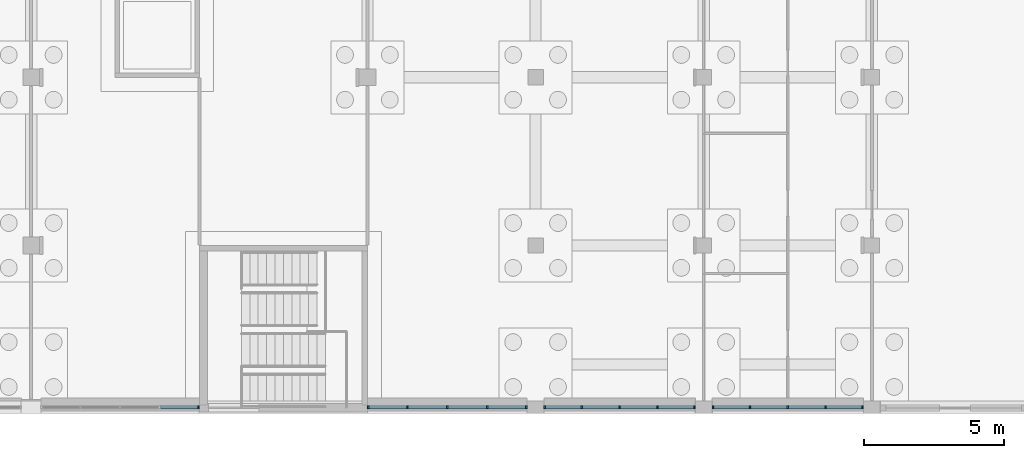
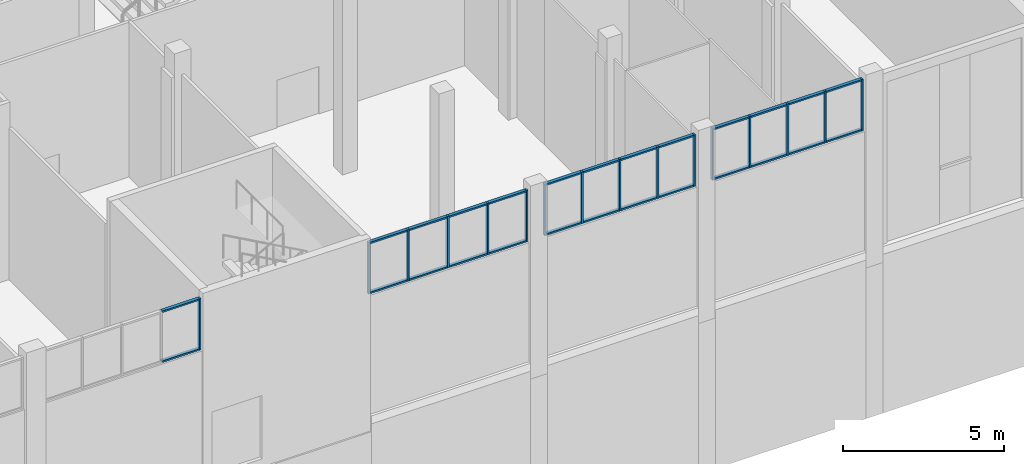
# One storey, part 20 of 95: 42 members, 4 elements without a shape of their own.
"""IFC4 building model written with IfcOpenShell, lengths in metres."""

from ifc_helpers import new_model, si_unit, direction, frame, origin, origin_2d, place, context, subcontext, project, spatial, rectangle, extrude, material, material_profile, profile_set, type_object, element, aggregate, save


model = new_model("IFC4")

# Units and contexts
model_context = context("Model", 3, precision=1e-05, world=origin(), true_north=direction((0.0, 1.0)))
body_context = subcontext(model_context, "Body", "Model", "MODEL_VIEW")
ifc_project = project(units=[si_unit("LENGTHUNIT", "METRE"), si_unit("AREAUNIT", "SQUARE_METRE"), si_unit("VOLUMEUNIT", "CUBIC_METRE"), si_unit("PLANEANGLEUNIT", "RADIAN"), si_unit("MASSUNIT", "GRAM", prefix="KILO")], contexts=[model_context])

# Site, building, storey
site_placement = place(None, origin())
site = spatial("IfcSite", under=ifc_project, at=site_placement, CompositionType="ELEMENT")
building_placement = place(site_placement, origin())
building = spatial("IfcBuilding", under=site, at=building_placement, Name="Saffron Lane Theatres", CompositionType="ELEMENT")
storey_placement = place(building_placement, origin())
storey = spatial("IfcBuildingStorey", under=building, at=storey_placement, Name="L00", CompositionType="ELEMENT", Elevation=0.0)

# Curtain wall, members
ifc_material_1 = material(Name="Aluminium", Category="aluminium")
curtain_wall_type_1 = type_object("IfcCurtainWallType", Name="EX-CURTAIN WALL 5400x1950x120", PredefinedType="NOTDEFINED", material=ifc_material_1)
curtain_wall_1_placement = place(storey_placement, origin())
curtain_wall_1 = element("IfcCurtainWall", 1, at=curtain_wall_1_placement, inside=storey, type_object=curtain_wall_type_1, Name="Curtain wall L00 09", PredefinedType="NOTDEFINED")
ifc_material_2 = material(Name="Aluminium", Category="aluminium")
ifc_material_profile_1 = material_profile(ifc_material_2, rectangle(XDim=0.06005859375, YDim=0.1201171875, at=origin_2d()))
ifc_profile_set_1 = profile_set([ifc_material_profile_1], Name="Aluminium")
member_type_1 = type_object("IfcMemberType", Name="EX-CW MULLION 60x120", PredefinedType="MULLION", material=ifc_profile_set_1)
member_1_placement = place(storey_placement, frame((59.669921875, 0.22509765625, 4.800048828125), z_axis=(0.0, 0.0, 1.0), x_axis=(-1.0, 0.0, 0.0)))
member_1 = element("IfcMember", 2, at=member_1_placement, type_object=member_type_1, Name="CW-00-09 mullion 1", PredefinedType="MULLION", context=body_context, shape_type="SweptSolid", body=[
    extrude(rectangle(XDim=0.06005859375, YDim=0.1201171875, at=origin_2d()), origin(), (0.0, 0.0, 1.0), 1.949951171875),
])
member_2_placement = place(storey_placement, frame((58.35009765625, 0.22509765625, 4.800048828125), z_axis=(0.0, 0.0, 1.0), x_axis=(-1.0, 0.0, 0.0)))
member_2 = element("IfcMember", 3, at=member_2_placement, type_object=member_type_1, Name="CW-00-09 mullion 2", PredefinedType="MULLION", context=body_context, shape_type="SweptSolid", body=[
    extrude(rectangle(XDim=0.06005859375, YDim=0.1201171875, at=origin_2d()), origin(), (0.0, 0.0, 1.0), 1.949951171875),
])
member_3_placement = place(storey_placement, frame((57.0, 0.22509765625, 4.800048828125), z_axis=(0.0, 0.0, 1.0), x_axis=(-1.0, 0.0, 0.0)))
member_3 = element("IfcMember", 4, at=member_3_placement, type_object=member_type_1, Name="CW-00-09 mullion 3", PredefinedType="MULLION", context=body_context, shape_type="SweptSolid", body=[
    extrude(rectangle(XDim=0.06005859375, YDim=0.1201171875, at=origin_2d()), origin(), (0.0, 0.0, 1.0), 1.949951171875),
])
member_4_placement = place(storey_placement, frame((55.64990234375, 0.22509765625, 4.800048828125), z_axis=(0.0, 0.0, 1.0), x_axis=(-1.0, 0.0, 0.0)))
member_4 = element("IfcMember", 5, at=member_4_placement, type_object=member_type_1, Name="CW-00-09 mullion 4", PredefinedType="MULLION", context=body_context, shape_type="SweptSolid", body=[
    extrude(rectangle(XDim=0.06005859375, YDim=0.1201171875, at=origin_2d()), origin(), (0.0, 0.0, 1.0), 1.949951171875),
])
member_5_placement = place(storey_placement, frame((54.330078125, 0.22509765625, 4.800048828125), z_axis=(0.0, 0.0, 1.0), x_axis=(-1.0, 0.0, 0.0)))
member_5 = element("IfcMember", 6, at=member_5_placement, type_object=member_type_1, Name="CW-00-09 mullion 5", PredefinedType="MULLION", context=body_context, shape_type="SweptSolid", body=[
    extrude(rectangle(XDim=0.06005859375, YDim=0.1201171875, at=origin_2d()), origin(), (0.0, 0.0, 1.0), 1.949951171875),
])

curtain_wall_2_placement = place(storey_placement, origin())
curtain_wall_2 = element("IfcCurtainWall", 7, at=curtain_wall_2_placement, inside=storey, type_object=curtain_wall_type_1, Name="Curtain wall L00 10", PredefinedType="NOTDEFINED")
member_6_placement = place(storey_placement, frame((53.669921875, 0.22509765625, 4.800048828125), z_axis=(0.0, 0.0, 1.0), x_axis=(-1.0, 0.0, 0.0)))
member_6 = element("IfcMember", 8, at=member_6_placement, type_object=member_type_1, Name="CW-00-10 mullion 1", PredefinedType="MULLION", context=body_context, shape_type="SweptSolid", body=[
    extrude(rectangle(XDim=0.06005859375, YDim=0.1201171875, at=origin_2d()), origin(), (0.0, 0.0, 1.0), 1.949951171875),
])
member_7_placement = place(storey_placement, frame((52.35009765625, 0.22509765625, 4.800048828125), z_axis=(0.0, 0.0, 1.0), x_axis=(-1.0, 0.0, 0.0)))
member_7 = element("IfcMember", 9, at=member_7_placement, type_object=member_type_1, Name="CW-00-10 mullion 2", PredefinedType="MULLION", context=body_context, shape_type="SweptSolid", body=[
    extrude(rectangle(XDim=0.06005859375, YDim=0.1201171875, at=origin_2d()), origin(), (0.0, 0.0, 1.0), 1.949951171875),
])
member_8_placement = place(storey_placement, frame((51.0, 0.22509765625, 4.800048828125), z_axis=(0.0, 0.0, 1.0), x_axis=(-1.0, 0.0, 0.0)))
member_8 = element("IfcMember", 10, at=member_8_placement, type_object=member_type_1, Name="CW-00-10 mullion 3", PredefinedType="MULLION", context=body_context, shape_type="SweptSolid", body=[
    extrude(rectangle(XDim=0.06005859375, YDim=0.1201171875, at=origin_2d()), origin(), (0.0, 0.0, 1.0), 1.949951171875),
])
member_9_placement = place(storey_placement, frame((49.64990234375, 0.22509765625, 4.800048828125), z_axis=(0.0, 0.0, 1.0), x_axis=(-1.0, 0.0, 0.0)))
member_9 = element("IfcMember", 11, at=member_9_placement, type_object=member_type_1, Name="CW-00-10 mullion 4", PredefinedType="MULLION", context=body_context, shape_type="SweptSolid", body=[
    extrude(rectangle(XDim=0.06005859375, YDim=0.1201171875, at=origin_2d()), origin(), (0.0, 0.0, 1.0), 1.949951171875),
])
member_10_placement = place(storey_placement, frame((48.330078125, 0.22509765625, 4.800048828125), z_axis=(0.0, 0.0, 1.0), x_axis=(-1.0, 0.0, 0.0)))
member_10 = element("IfcMember", 12, at=member_10_placement, type_object=member_type_1, Name="CW-00-10 mullion 5", PredefinedType="MULLION", context=body_context, shape_type="SweptSolid", body=[
    extrude(rectangle(XDim=0.06005859375, YDim=0.1201171875, at=origin_2d()), origin(), (0.0, 0.0, 1.0), 1.949951171875),
])

ifc_material_3 = material(Name="Aluminium", Category="aluminium")
curtain_wall_type_2 = type_object("IfcCurtainWallType", Name="EX-CURTAIN WALL 5700x1950x120", PredefinedType="NOTDEFINED", material=ifc_material_3)
curtain_wall_3_placement = place(storey_placement, origin())
curtain_wall_3 = element("IfcCurtainWall", 13, at=curtain_wall_3_placement, inside=storey, type_object=curtain_wall_type_2, Name="Curtain wall L00 11", PredefinedType="NOTDEFINED")
member_11_placement = place(storey_placement, frame((47.669921875, 0.22509765625, 4.800048828125), z_axis=(0.0, 0.0, 1.0), x_axis=(-1.0, 0.0, 0.0)))
member_11 = element("IfcMember", 14, at=member_11_placement, type_object=member_type_1, Name="CW-00-11 mullion 1", PredefinedType="MULLION", context=body_context, shape_type="SweptSolid", body=[
    extrude(rectangle(XDim=0.06005859375, YDim=0.1201171875, at=origin_2d()), origin(), (0.0, 0.0, 1.0), 1.949951171875),
])
member_12_placement = place(storey_placement, frame((46.27490234375, 0.22509765625, 4.800048828125), z_axis=(0.0, 0.0, 1.0), x_axis=(-1.0, 0.0, 0.0)))
member_12 = element("IfcMember", 15, at=member_12_placement, type_object=member_type_1, Name="CW-00-11 mullion 2", PredefinedType="MULLION", context=body_context, shape_type="SweptSolid", body=[
    extrude(rectangle(XDim=0.06005859375, YDim=0.1201171875, at=origin_2d()), origin(), (0.0, 0.0, 1.0), 1.949951171875),
])
member_13_placement = place(storey_placement, frame((44.85009765625, 0.22509765625, 4.800048828125), z_axis=(0.0, 0.0, 1.0), x_axis=(-1.0, 0.0, 0.0)))
member_13 = element("IfcMember", 16, at=member_13_placement, type_object=member_type_1, Name="CW-00-11 mullion 3", PredefinedType="MULLION", context=body_context, shape_type="SweptSolid", body=[
    extrude(rectangle(XDim=0.06005859375, YDim=0.1201171875, at=origin_2d()), origin(), (0.0, 0.0, 1.0), 1.949951171875),
])
member_14_placement = place(storey_placement, frame((43.425048828125, 0.22509765625, 4.800048828125), z_axis=(0.0, 0.0, 1.0), x_axis=(-1.0, 0.0, 0.0)))
member_14 = element("IfcMember", 17, at=member_14_placement, type_object=member_type_1, Name="CW-00-11 mullion 4", PredefinedType="MULLION", context=body_context, shape_type="SweptSolid", body=[
    extrude(rectangle(XDim=0.06005859375, YDim=0.1201171875, at=origin_2d()), origin(), (0.0, 0.0, 1.0), 1.949951171875),
])
member_15_placement = place(storey_placement, frame((42.030029296875, 0.22509765625, 4.800048828125), z_axis=(0.0, 0.0, 1.0), x_axis=(-1.0, 0.0, 0.0)))
member_15 = element("IfcMember", 18, at=member_15_placement, type_object=member_type_1, Name="CW-00-11 mullion 5", PredefinedType="MULLION", context=body_context, shape_type="SweptSolid", body=[
    extrude(rectangle(XDim=0.06005859375, YDim=0.1201171875, at=origin_2d()), origin(), (0.0, 0.0, 1.0), 1.949951171875),
])

# Curtain wall, member
ifc_material_4 = material(Name="Aluminium", Category="aluminium")
curtain_wall_type_3 = type_object("IfcCurtainWallType", Name="EX-CURTAIN WALL 5650x1950x120", PredefinedType="NOTDEFINED", material=ifc_material_4)
curtain_wall_4_placement = place(storey_placement, origin())
curtain_wall_4 = element("IfcCurtainWall", 19, at=curtain_wall_4_placement, inside=storey, type_object=curtain_wall_type_3, Name="Curtain wall L00 12", PredefinedType="NOTDEFINED")
member_16_placement = place(storey_placement, frame((35.969970703125, 0.22509765625, 4.800048828125), z_axis=(0.0, 0.0, 1.0), x_axis=(-1.0, 0.0, 0.0)))
member_16 = element("IfcMember", 20, at=member_16_placement, type_object=member_type_1, Name="CW-00-12 mullion 1", PredefinedType="MULLION", context=body_context, shape_type="SweptSolid", body=[
    extrude(rectangle(XDim=0.06005859375, YDim=0.1201171875, at=origin_2d()), origin(), (0.0, 0.0, 1.0), 1.949951171875),
])

# Member
ifc_material_5 = material(Name="Aluminium", Category="aluminium")
ifc_material_profile_2 = material_profile(ifc_material_5, rectangle(XDim=0.1201171875, YDim=0.06005859375, at=origin_2d()))
ifc_profile_set_2 = profile_set([ifc_material_profile_2], Name="Aluminium")
member_type_2 = type_object("IfcMemberType", Name="EX-CW TRANSOM 120x60", PredefinedType="USERDEFINED", material=ifc_profile_set_2)
member_17_placement = place(storey_placement, frame((59.639892578125, 0.22509765625, 4.830078125), z_axis=(-1.0, 0.0, 0.0), x_axis=(0.0, -1.0, 0.0)))
member_17 = element("IfcMember", 21, at=member_17_placement, type_object=member_type_2, Name="CW-00-09 transom 1.1", ObjectType="TRANSOM", PredefinedType="USERDEFINED", context=body_context, shape_type="SweptSolid", body=[
    extrude(rectangle(XDim=0.1201171875, YDim=0.06005859375, at=origin_2d()), origin(), (0.0, 0.0, 1.0), 1.260009765625),
])

member_18_placement = place(storey_placement, frame((59.639892578125, 0.22509765625, 6.719970703125), z_axis=(-1.0, 0.0, 0.0), x_axis=(0.0, -1.0, 0.0)))
member_18 = element("IfcMember", 22, at=member_18_placement, type_object=member_type_2, Name="CW-00-09 transom 1.2", ObjectType="TRANSOM", PredefinedType="USERDEFINED", context=body_context, shape_type="SweptSolid", body=[
    extrude(rectangle(XDim=0.1201171875, YDim=0.06005859375, at=origin_2d()), origin(), (0.0, 0.0, 1.0), 1.260009765625),
])

member_19_placement = place(storey_placement, frame((58.320068359375, 0.22509765625, 4.830078125), z_axis=(-1.0, 0.0, 0.0), x_axis=(0.0, -1.0, 0.0)))
member_19 = element("IfcMember", 23, at=member_19_placement, type_object=member_type_2, Name="CW-00-09 transom 2.1", ObjectType="TRANSOM", PredefinedType="USERDEFINED", context=body_context, shape_type="SweptSolid", body=[
    extrude(rectangle(XDim=0.1201171875, YDim=0.06005859375, at=origin_2d()), origin(), (0.0, 0.0, 1.0), 1.2900390625),
])

member_20_placement = place(storey_placement, frame((58.320068359375, 0.22509765625, 6.719970703125), z_axis=(-1.0, 0.0, 0.0), x_axis=(0.0, -1.0, 0.0)))
member_20 = element("IfcMember", 24, at=member_20_placement, type_object=member_type_2, Name="CW-00-09 transom 2.2", ObjectType="TRANSOM", PredefinedType="USERDEFINED", context=body_context, shape_type="SweptSolid", body=[
    extrude(rectangle(XDim=0.1201171875, YDim=0.06005859375, at=origin_2d()), origin(), (0.0, 0.0, 1.0), 1.2900390625),
])

member_21_placement = place(storey_placement, frame((56.969970703125, 0.22509765625, 4.830078125), z_axis=(-1.0, 0.0, 0.0), x_axis=(0.0, -1.0, 0.0)))
member_21 = element("IfcMember", 25, at=member_21_placement, type_object=member_type_2, Name="CW-00-09 transom 3.1", ObjectType="TRANSOM", PredefinedType="USERDEFINED", context=body_context, shape_type="SweptSolid", body=[
    extrude(rectangle(XDim=0.1201171875, YDim=0.06005859375, at=origin_2d()), origin(), (0.0, 0.0, 1.0), 1.2900390625),
])

member_22_placement = place(storey_placement, frame((56.969970703125, 0.22509765625, 6.719970703125), z_axis=(-1.0, 0.0, 0.0), x_axis=(0.0, -1.0, 0.0)))
member_22 = element("IfcMember", 26, at=member_22_placement, type_object=member_type_2, Name="CW-00-09 transom 3.2", ObjectType="TRANSOM", PredefinedType="USERDEFINED", context=body_context, shape_type="SweptSolid", body=[
    extrude(rectangle(XDim=0.1201171875, YDim=0.06005859375, at=origin_2d()), origin(), (0.0, 0.0, 1.0), 1.2900390625),
])

member_23_placement = place(storey_placement, frame((55.6201171875, 0.22509765625, 4.830078125), z_axis=(-1.0, 0.0, 0.0), x_axis=(0.0, -1.0, 0.0)))
member_23 = element("IfcMember", 27, at=member_23_placement, type_object=member_type_2, Name="CW-00-09 transom 4.1", ObjectType="TRANSOM", PredefinedType="USERDEFINED", context=body_context, shape_type="SweptSolid", body=[
    extrude(rectangle(XDim=0.1201171875, YDim=0.06005859375, at=origin_2d()), origin(), (0.0, 0.0, 1.0), 1.260009765625),
])

member_24_placement = place(storey_placement, frame((55.6201171875, 0.22509765625, 6.719970703125), z_axis=(-1.0, 0.0, 0.0), x_axis=(0.0, -1.0, 0.0)))
member_24 = element("IfcMember", 28, at=member_24_placement, type_object=member_type_2, Name="CW-00-09 transom 4.2", ObjectType="TRANSOM", PredefinedType="USERDEFINED", context=body_context, shape_type="SweptSolid", body=[
    extrude(rectangle(XDim=0.1201171875, YDim=0.06005859375, at=origin_2d()), origin(), (0.0, 0.0, 1.0), 1.260009765625),
])

aggregate(curtain_wall_1, [member_1, member_2, member_3, member_4, member_5, member_17, member_18, member_19, member_20, member_21, member_22, member_23, member_24])

member_25_placement = place(storey_placement, frame((53.639892578125, 0.22509765625, 4.830078125), z_axis=(-1.0, 0.0, 0.0), x_axis=(0.0, -1.0, 0.0)))
member_25 = element("IfcMember", 29, at=member_25_placement, type_object=member_type_2, Name="CW-00-10 transom 1.1", ObjectType="TRANSOM", PredefinedType="USERDEFINED", context=body_context, shape_type="SweptSolid", body=[
    extrude(rectangle(XDim=0.1201171875, YDim=0.06005859375, at=origin_2d()), origin(), (0.0, 0.0, 1.0), 1.260009765625),
])

member_26_placement = place(storey_placement, frame((53.639892578125, 0.22509765625, 6.719970703125), z_axis=(-1.0, 0.0, 0.0), x_axis=(0.0, -1.0, 0.0)))
member_26 = element("IfcMember", 30, at=member_26_placement, type_object=member_type_2, Name="CW-00-10 transom 1.2", ObjectType="TRANSOM", PredefinedType="USERDEFINED", context=body_context, shape_type="SweptSolid", body=[
    extrude(rectangle(XDim=0.1201171875, YDim=0.06005859375, at=origin_2d()), origin(), (0.0, 0.0, 1.0), 1.260009765625),
])

member_27_placement = place(storey_placement, frame((52.320068359375, 0.22509765625, 4.830078125), z_axis=(-1.0, 0.0, 0.0), x_axis=(0.0, -1.0, 0.0)))
member_27 = element("IfcMember", 31, at=member_27_placement, type_object=member_type_2, Name="CW-00-10 transom 2.1", ObjectType="TRANSOM", PredefinedType="USERDEFINED", context=body_context, shape_type="SweptSolid", body=[
    extrude(rectangle(XDim=0.1201171875, YDim=0.06005859375, at=origin_2d()), origin(), (0.0, 0.0, 1.0), 1.2900390625),
])

member_28_placement = place(storey_placement, frame((52.320068359375, 0.22509765625, 6.719970703125), z_axis=(-1.0, 0.0, 0.0), x_axis=(0.0, -1.0, 0.0)))
member_28 = element("IfcMember", 32, at=member_28_placement, type_object=member_type_2, Name="CW-00-10 transom 2.2", ObjectType="TRANSOM", PredefinedType="USERDEFINED", context=body_context, shape_type="SweptSolid", body=[
    extrude(rectangle(XDim=0.1201171875, YDim=0.06005859375, at=origin_2d()), origin(), (0.0, 0.0, 1.0), 1.2900390625),
])

member_29_placement = place(storey_placement, frame((50.969970703125, 0.22509765625, 4.830078125), z_axis=(-1.0, 0.0, 0.0), x_axis=(0.0, -1.0, 0.0)))
member_29 = element("IfcMember", 33, at=member_29_placement, type_object=member_type_2, Name="CW-00-10 transom 3.1", ObjectType="TRANSOM", PredefinedType="USERDEFINED", context=body_context, shape_type="SweptSolid", body=[
    extrude(rectangle(XDim=0.1201171875, YDim=0.06005859375, at=origin_2d()), origin(), (0.0, 0.0, 1.0), 1.2900390625),
])

member_30_placement = place(storey_placement, frame((50.969970703125, 0.22509765625, 6.719970703125), z_axis=(-1.0, 0.0, 0.0), x_axis=(0.0, -1.0, 0.0)))
member_30 = element("IfcMember", 34, at=member_30_placement, type_object=member_type_2, Name="CW-00-10 transom 3.2", ObjectType="TRANSOM", PredefinedType="USERDEFINED", context=body_context, shape_type="SweptSolid", body=[
    extrude(rectangle(XDim=0.1201171875, YDim=0.06005859375, at=origin_2d()), origin(), (0.0, 0.0, 1.0), 1.2900390625),
])

member_31_placement = place(storey_placement, frame((49.6201171875, 0.22509765625, 4.830078125), z_axis=(-1.0, 0.0, 0.0), x_axis=(0.0, -1.0, 0.0)))
member_31 = element("IfcMember", 35, at=member_31_placement, type_object=member_type_2, Name="CW-00-10 transom 4.1", ObjectType="TRANSOM", PredefinedType="USERDEFINED", context=body_context, shape_type="SweptSolid", body=[
    extrude(rectangle(XDim=0.1201171875, YDim=0.06005859375, at=origin_2d()), origin(), (0.0, 0.0, 1.0), 1.260009765625),
])

member_32_placement = place(storey_placement, frame((49.6201171875, 0.22509765625, 6.719970703125), z_axis=(-1.0, 0.0, 0.0), x_axis=(0.0, -1.0, 0.0)))
member_32 = element("IfcMember", 36, at=member_32_placement, type_object=member_type_2, Name="CW-00-10 transom 4.2", ObjectType="TRANSOM", PredefinedType="USERDEFINED", context=body_context, shape_type="SweptSolid", body=[
    extrude(rectangle(XDim=0.1201171875, YDim=0.06005859375, at=origin_2d()), origin(), (0.0, 0.0, 1.0), 1.260009765625),
])

aggregate(curtain_wall_2, [member_6, member_7, member_8, member_9, member_10, member_25, member_26, member_27, member_28, member_29, member_30, member_31, member_32])

member_33_placement = place(storey_placement, frame((47.639892578125, 0.22509765625, 4.830078125), z_axis=(-1.0, 0.0, 0.0), x_axis=(0.0, -1.0, 0.0)))
member_33 = element("IfcMember", 37, at=member_33_placement, type_object=member_type_2, Name="CW-00-11 transom 1.1", ObjectType="TRANSOM", PredefinedType="USERDEFINED", context=body_context, shape_type="SweptSolid", body=[
    extrude(rectangle(XDim=0.1201171875, YDim=0.06005859375, at=origin_2d()), origin(), (0.0, 0.0, 1.0), 1.3349609375),
])

member_34_placement = place(storey_placement, frame((47.639892578125, 0.22509765625, 6.719970703125), z_axis=(-1.0, 0.0, 0.0), x_axis=(0.0, -1.0, 0.0)))
member_34 = element("IfcMember", 38, at=member_34_placement, type_object=member_type_2, Name="CW-00-11 transom 1.2", ObjectType="TRANSOM", PredefinedType="USERDEFINED", context=body_context, shape_type="SweptSolid", body=[
    extrude(rectangle(XDim=0.1201171875, YDim=0.06005859375, at=origin_2d()), origin(), (0.0, 0.0, 1.0), 1.3349609375),
])

member_35_placement = place(storey_placement, frame((46.244873046875, 0.22509765625, 4.830078125), z_axis=(-1.0, 0.0, 0.0), x_axis=(0.0, -1.0, 0.0)))
member_35 = element("IfcMember", 39, at=member_35_placement, type_object=member_type_2, Name="CW-00-11 transom 2.1", ObjectType="TRANSOM", PredefinedType="USERDEFINED", context=body_context, shape_type="SweptSolid", body=[
    extrude(rectangle(XDim=0.1201171875, YDim=0.06005859375, at=origin_2d()), origin(), (0.0, 0.0, 1.0), 1.364990234375),
])

member_36_placement = place(storey_placement, frame((46.244873046875, 0.22509765625, 6.719970703125), z_axis=(-1.0, 0.0, 0.0), x_axis=(0.0, -1.0, 0.0)))
member_36 = element("IfcMember", 40, at=member_36_placement, type_object=member_type_2, Name="CW-00-11 transom 2.2", ObjectType="TRANSOM", PredefinedType="USERDEFINED", context=body_context, shape_type="SweptSolid", body=[
    extrude(rectangle(XDim=0.1201171875, YDim=0.06005859375, at=origin_2d()), origin(), (0.0, 0.0, 1.0), 1.364990234375),
])

member_37_placement = place(storey_placement, frame((44.820068359375, 0.22509765625, 4.830078125), z_axis=(-1.0, 0.0, 0.0), x_axis=(0.0, -1.0, 0.0)))
member_37 = element("IfcMember", 41, at=member_37_placement, type_object=member_type_2, Name="CW-00-11 transom 3.1", ObjectType="TRANSOM", PredefinedType="USERDEFINED", context=body_context, shape_type="SweptSolid", body=[
    extrude(rectangle(XDim=0.1201171875, YDim=0.06005859375, at=origin_2d()), origin(), (0.0, 0.0, 1.0), 1.364990234375),
])

member_38_placement = place(storey_placement, frame((44.820068359375, 0.22509765625, 6.719970703125), z_axis=(-1.0, 0.0, 0.0), x_axis=(0.0, -1.0, 0.0)))
member_38 = element("IfcMember", 42, at=member_38_placement, type_object=member_type_2, Name="CW-00-11 transom 3.2", ObjectType="TRANSOM", PredefinedType="USERDEFINED", context=body_context, shape_type="SweptSolid", body=[
    extrude(rectangle(XDim=0.1201171875, YDim=0.06005859375, at=origin_2d()), origin(), (0.0, 0.0, 1.0), 1.364990234375),
])

member_39_placement = place(storey_placement, frame((43.39501953125, 0.22509765625, 4.830078125), z_axis=(-1.0, 0.0, 0.0), x_axis=(0.0, -1.0, 0.0)))
member_39 = element("IfcMember", 43, at=member_39_placement, type_object=member_type_2, Name="CW-00-11 transom 4.1", ObjectType="TRANSOM", PredefinedType="USERDEFINED", context=body_context, shape_type="SweptSolid", body=[
    extrude(rectangle(XDim=0.1201171875, YDim=0.06005859375, at=origin_2d()), origin(), (0.0, 0.0, 1.0), 1.3349609375),
])

member_40_placement = place(storey_placement, frame((43.39501953125, 0.22509765625, 6.719970703125), z_axis=(-1.0, 0.0, 0.0), x_axis=(0.0, -1.0, 0.0)))
member_40 = element("IfcMember", 44, at=member_40_placement, type_object=member_type_2, Name="CW-00-11 transom 4.2", ObjectType="TRANSOM", PredefinedType="USERDEFINED", context=body_context, shape_type="SweptSolid", body=[
    extrude(rectangle(XDim=0.1201171875, YDim=0.06005859375, at=origin_2d()), origin(), (0.0, 0.0, 1.0), 1.3349609375),
])

aggregate(curtain_wall_3, [member_11, member_12, member_13, member_14, member_15, member_33, member_34, member_35, member_36, member_37, member_38, member_39, member_40])

member_41_placement = place(storey_placement, frame((35.93994140625, 0.22509765625, 4.830078125), z_axis=(-1.0, 0.0, 0.0), x_axis=(0.0, -1.0, 0.0)))
member_41 = element("IfcMember", 45, at=member_41_placement, type_object=member_type_2, Name="CW-00-12 transom 1.1", ObjectType="TRANSOM", PredefinedType="USERDEFINED", context=body_context, shape_type="SweptSolid", body=[
    extrude(rectangle(XDim=0.1201171875, YDim=0.06005859375, at=origin_2d()), origin(), (0.0, 0.0, 1.0), 1.322509765625),
])

member_42_placement = place(storey_placement, frame((35.93994140625, 0.22509765625, 6.719970703125), z_axis=(-1.0, 0.0, 0.0), x_axis=(0.0, -1.0, 0.0)))
member_42 = element("IfcMember", 46, at=member_42_placement, type_object=member_type_2, Name="CW-00-12 transom 1.2", ObjectType="TRANSOM", PredefinedType="USERDEFINED", context=body_context, shape_type="SweptSolid", body=[
    extrude(rectangle(XDim=0.1201171875, YDim=0.06005859375, at=origin_2d()), origin(), (0.0, 0.0, 1.0), 1.322509765625),
])

aggregate(curtain_wall_4, [member_16, member_41, member_42])

save(model, "model.ifc")
